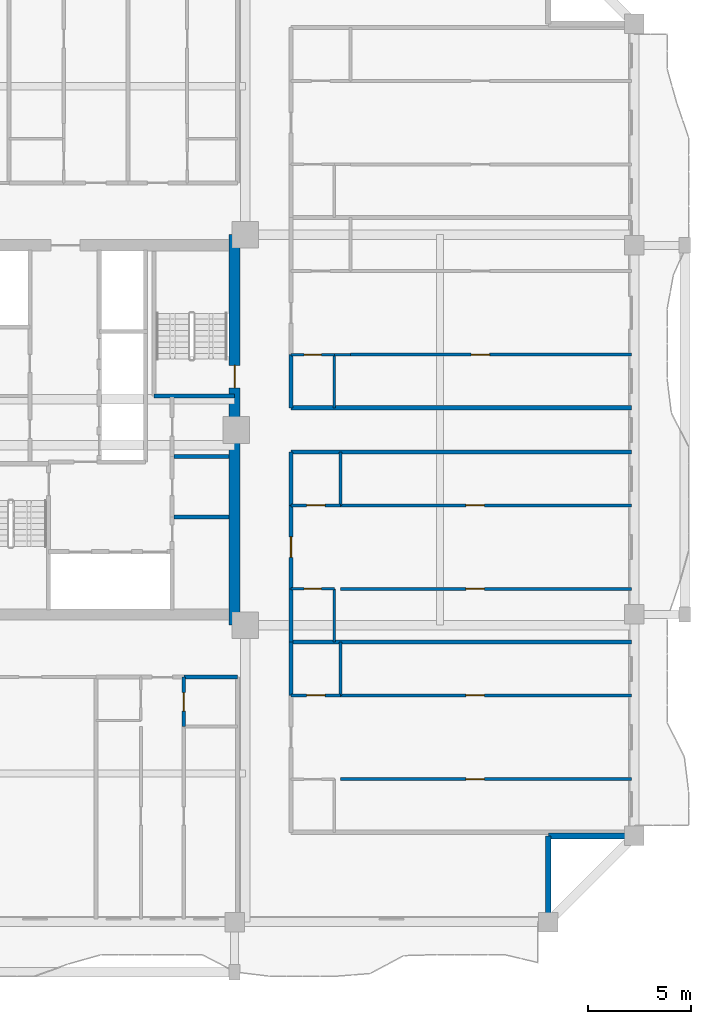
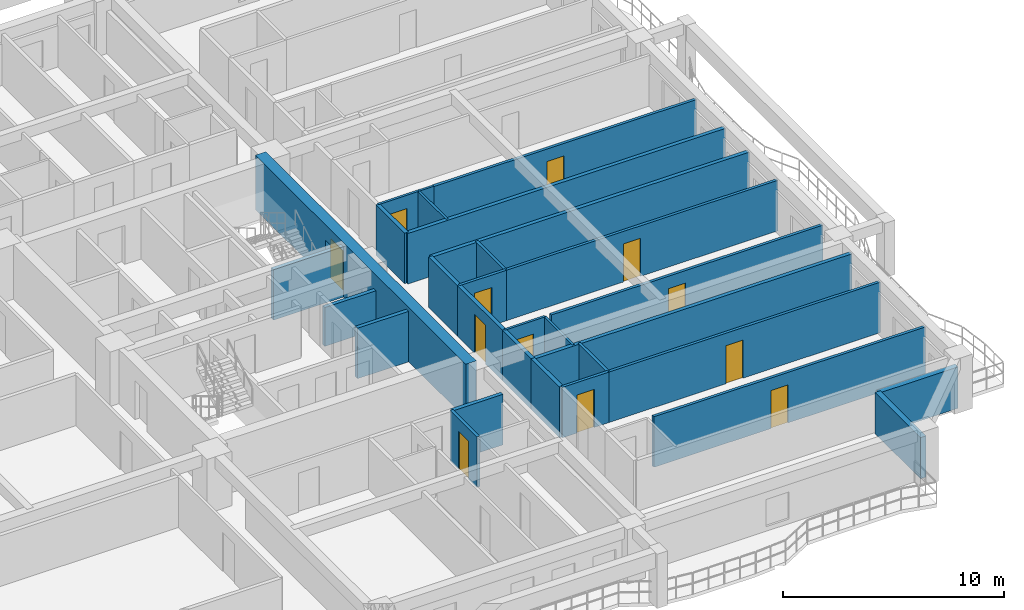
# One storey, part 4 of 12: 30 walls, 12 doors, 12 openings.
"""IFC4 building model written with IfcOpenShell, lengths in metres."""

from ifc_helpers import new_model, si_unit, direction, frame, frame_2d, origin, place, context, subcontext, project, spatial, rectangle, extrude, source, transform, mapped, material, layer, layer_set, type_object, element, fill, save


model = new_model("IFC4")

# Units and contexts
model_context = context("Model", 3, precision=1e-05, world=origin(), true_north=direction((0.0, 1.0)))
body_context = subcontext(model_context, "Body", "Model", "MODEL_VIEW")
ifc_project = project(units=[si_unit("LENGTHUNIT", "METRE"), si_unit("AREAUNIT", "SQUARE_METRE"), si_unit("VOLUMEUNIT", "CUBIC_METRE"), si_unit("PLANEANGLEUNIT", "RADIAN"), si_unit("MASSUNIT", "GRAM", prefix="KILO")], contexts=[model_context])

# Site, building, storey
site_placement = place(None, origin())
site = spatial("IfcSite", under=ifc_project, at=site_placement, CompositionType="ELEMENT")
building_placement = place(site_placement, origin())
building = spatial("IfcBuilding", under=site, at=building_placement, Name="Saelheon Loggia Tower", CompositionType="ELEMENT")
storey_placement = place(building_placement, frame((0.0, 0.0, 95.85009765625)))
storey = spatial("IfcBuildingStorey", under=building, at=storey_placement, Name="L30", CompositionType="ELEMENT", Elevation=95.85009765625)

# Wall, opening, door
ifc_material_1 = material(Name="Concrete C50/60", Category="concrete")
ifc_layer_1 = layer(ifc_material_1, 0.550048828125)
ifc_layer_set_1 = layer_set([ifc_layer_1], Name="Concrete C50/60")
wall_type_1 = type_object("IfcWallType", Name="Wall_CoreShear_550", PredefinedType="SHEAR", material=ifc_layer_set_1)
wall_1_placement = place(storey_placement, frame((44.5, 17.47998046875, 0.0), z_axis=(0.0, 0.0, 1.0), x_axis=(0.0, 1.0, 0.0)))
wall_1 = element("IfcWall", 1, at=wall_1_placement, inside=storey, type_object=wall_type_1, Name="L30 Core Shear Wall East", PredefinedType="SHEAR", context=body_context, shape_type="SweptSolid", body=[
    extrude(rectangle(XDim=19.0400390625, YDim=0.550048828125, at=frame_2d((9.52001953125, 0.0))), origin(), (0.0, 0.0, 1.0), 3.0),
])
opening_1_placement = place(wall_1_placement, frame((12.670166015625, 0.0, 0.0), z_axis=(0.0, 0.0, 1.0), x_axis=(-1.0, 0.0, 0.0)))
opening_1 = element("IfcOpeningElement", 2, at=opening_1_placement, cuts=wall_1, Name="Opening D-FD2", PredefinedType="OPENING", context=body_context, shape_type="SweptSolid", body=[
    extrude(rectangle(XDim=1.10009765625, YDim=2.14990234375, at=frame_2d((0.550048828125, 1.074951171875))), frame((0.0, 0.287109375, 0.0), z_axis=(0.0, -1.0, 0.0), x_axis=(1.0, 0.0, 0.0)), (0.0, 0.0, 1.0), 0.573974609375),
])
ifc_material_2 = material(Name="Galvanised Steel Fire Door", Category="steel")
door_type_1 = type_object("IfcDoorType", Name="Door_Fire_FD60_1100", OperationType="NOTDEFINED", PredefinedType="DOOR", material=ifc_material_2)
shared_shape_1 = source(origin(), body_context, "Body", "SweptSolid", [
    extrude(rectangle(XDim=1.10009765625, YDim=2.14990234375, at=frame_2d((0.550048828125, 1.074951171875))), frame((0.0, 0.02490234375, 0.0), z_axis=(0.0, -1.0, 0.0), x_axis=(1.0, 0.0, 0.0)), (0.0, 0.0, 1.0), 0.050048828125),
])
door_1_placement = place(opening_1_placement, origin())
door_1 = element("IfcDoor", 3, at=door_1_placement, inside=storey, type_object=door_type_1, Name="L30 Stair ST2 Corridor Door", OperationType="SINGLE_SWING_RIGHT", OverallHeight=2.14990234375, OverallWidth=1.10009765625, PredefinedType="DOOR", context=body_context, shape_type="MappedRepresentation", body=[
    mapped(shared_shape_1, transform((0.0, 0.0, 0.0), scale=1.0)),
])
fill(opening_1, door_1)

# Walls
ifc_material_3 = material(Name="Architectural Precast Concrete C40/50", Category="concrete")
ifc_layer_2 = layer(ifc_material_3, 0.280029296875)
ifc_layer_set_2 = layer_set([ifc_layer_2], Name="Architectural Precast Concrete C40/50")
wall_type_2 = type_object("IfcWallType", Name="Wall_Ext_Loggia_280", PredefinedType="SOLIDWALL", material=ifc_layer_set_2)
for number, where, z_axis, x_axis, name in (
    (4, (59.800048828125, 3.080078125, 0.0), (0.0, 0.0, 1.0), (0.0, 1.0, 0.0), "L30 Corner Notch Precast Wall SE1"),
    (5, (59.800048828125, 7.199951171875, 0.0), (0.0, 0.0, 1.0), (1.0, 0.0, 0.0), "L30 Corner Notch Precast Wall SE2"),
):
    element("IfcWall", number, at=place(storey_placement, frame(where, z_axis=z_axis, x_axis=x_axis)), inside=storey, type_object=wall_type_2, Name=name, PredefinedType="SOLIDWALL", context=body_context, shape_type="SweptSolid", body=[
        extrude(rectangle(XDim=4.119873046875, YDim=0.280029296875, at=frame_2d((2.06005859375, 0.0))), origin(), (0.0, 0.0, 1.0), 2.27978515625),
    ])

# Wall, opening, door
ifc_material_4 = material(Name="Lightweight Autoclaved Aerated Concrete Block and Acoustic Gypsum", Category="concrete")
ifc_layer_3 = layer(ifc_material_4, 0.14990234375)
ifc_layer_set_3 = layer_set([ifc_layer_3], Name="Lightweight Autoclaved Aerated Concrete Block and Acoustic Gypsum")
wall_type_3 = type_object("IfcWallType", Name="Wall_Part_150", PredefinedType="PARTITIONING", material=ifc_layer_set_3)
wall_2_placement = place(storey_placement, frame((42.02197265625, 14.949951171875, 0.0), z_axis=(0.0, 0.0, 1.0), x_axis=(0.0, -1.0, 0.0)))
wall_2 = element("IfcWall", 6, at=wall_2_placement, inside=storey, type_object=wall_type_3, Name="L30 S Partition U12", PredefinedType="PARTITIONING", context=body_context, shape_type="SweptSolid", body=[
    extrude(rectangle(XDim=2.419921875, YDim=0.14990234375, at=frame_2d((1.2099609375, 0.0))), origin(), (0.0, 0.0, 1.0), 2.789794921875),
])
opening_2_placement = place(wall_2_placement, frame((0.760009765625, 0.0, 0.0)))
opening_2 = element("IfcOpeningElement", 7, at=opening_2_placement, cuts=wall_2, Name="Opening D-IN2", PredefinedType="OPENING", context=body_context, shape_type="SweptSolid", body=[
    extrude(rectangle(XDim=0.89990234375, YDim=2.10009765625, at=frame_2d((0.449951171875, 1.050048828125))), frame((0.0, 0.0869140625, 0.0), z_axis=(0.0, -1.0, 0.0), x_axis=(1.0, 0.0, 0.0)), (0.0, 0.0, 1.0), 0.173828125),
])
ifc_material_5 = material(Name="Engineered Oak Flush Door", Category="timber")
door_type_2 = type_object("IfcDoorType", Name="Door_Int_900", OperationType="NOTDEFINED", PredefinedType="DOOR", material=ifc_material_5)
shared_shape_2 = source(origin(), body_context, "Body", "SweptSolid", [
    extrude(rectangle(XDim=0.89990234375, YDim=2.10009765625, at=frame_2d((0.449951171875, 1.050048828125))), frame((0.0, 0.02490234375, 0.0), z_axis=(0.0, -1.0, 0.0), x_axis=(1.0, 0.0, 0.0)), (0.0, 0.0, 1.0), 0.050048828125),
])
door_2_placement = place(opening_2_placement, origin())
door_2 = element("IfcDoor", 8, at=door_2_placement, inside=storey, type_object=door_type_2, Name="Unit U01 Dressing Closet Door", OperationType="SINGLE_SWING_LEFT", OverallHeight=2.10009765625, OverallWidth=0.89990234375, PredefinedType="DOOR", context=body_context, shape_type="MappedRepresentation", body=[
    mapped(shared_shape_2, transform((0.0, 0.0, 0.0), scale=1.0)),
])
fill(opening_2, door_2)

# Wall
wall_3_placement = place(storey_placement, frame((49.669921875, 14.050048828125, 0.0), z_axis=(0.0, 0.0, 1.0), x_axis=(0.0, 1.0, 0.0)))
element("IfcWall", 9, at=wall_3_placement, inside=storey, type_object=wall_type_3, Name="L30 ES Partition V07", PredefinedType="PARTITIONING", context=body_context, shape_type="SweptSolid", body=[
    extrude(rectangle(XDim=2.599853515625, YDim=0.14990234375, at=frame_2d((1.2998046875, 0.0))), origin(), (0.0, 0.0, 1.0), 2.789794921875),
])

# Wall, opening, door
wall_4_placement = place(storey_placement, frame((49.669921875, 9.9755859375, 0.0), z_axis=(0.0, 0.0, 1.0), x_axis=(1.0, 0.0, 0.0)))
wall_4 = element("IfcWall", 10, at=wall_4_placement, inside=storey, type_object=wall_type_3, Name="L30 ES Partition U09", PredefinedType="PARTITIONING", context=body_context, shape_type="SweptSolid", body=[
    extrude(rectangle(XDim=14.18017578125, YDim=0.14990234375, at=frame_2d((7.090087890625, 0.0))), origin(), (0.0, 0.0, 1.0), 2.789794921875),
])
opening_3_placement = place(wall_4_placement, frame((6.106689453125, 0.0, 0.0)))
opening_3 = element("IfcOpeningElement", 11, at=opening_3_placement, cuts=wall_4, Name="Opening D-IN2", PredefinedType="OPENING", context=body_context, shape_type="SweptSolid", body=[
    extrude(rectangle(XDim=0.89990234375, YDim=2.10009765625, at=frame_2d((0.449951171875, 1.050048828125))), frame((0.0, 0.0869140625, 0.0), z_axis=(0.0, -1.0, 0.0), x_axis=(1.0, 0.0, 0.0)), (0.0, 0.0, 1.0), 0.173828125),
])
door_3_placement = place(opening_3_placement, origin())
door_3 = element("IfcDoor", 12, at=door_3_placement, inside=storey, type_object=door_type_2, Name="Unit U04 Kitchen Door", OperationType="SINGLE_SWING_RIGHT", OverallHeight=2.10009765625, OverallWidth=0.89990234375, PredefinedType="DOOR", context=body_context, shape_type="MappedRepresentation", body=[
    mapped(shared_shape_2, transform((0.0, 0.0, 0.0), scale=1.0)),
])
fill(opening_3, door_3)

wall_5_placement = place(storey_placement, frame((47.25, 14.050048828125, 0.0), z_axis=(0.0, 0.0, 1.0), x_axis=(1.0, 0.0, 0.0)))
wall_5 = element("IfcWall", 13, at=wall_5_placement, inside=storey, type_object=wall_type_3, Name="L30 ES Partition U10", PredefinedType="PARTITIONING", context=body_context, shape_type="SweptSolid", body=[
    extrude(rectangle(XDim=2.419921875, YDim=0.14990234375, at=frame_2d((1.2099609375, 0.0))), origin(), (0.0, 0.0, 1.0), 2.789794921875),
])
opening_4_placement = place(wall_5_placement, frame((0.760009765625, 0.0, 0.0)))
opening_4 = element("IfcOpeningElement", 14, at=opening_4_placement, cuts=wall_5, Name="Opening D-IN2", PredefinedType="OPENING", context=body_context, shape_type="SweptSolid", body=[
    extrude(rectangle(XDim=0.89990234375, YDim=2.10009765625, at=frame_2d((0.449951171875, 1.050048828125))), frame((0.0, 0.0869140625, 0.0), z_axis=(0.0, -1.0, 0.0), x_axis=(1.0, 0.0, 0.0)), (0.0, 0.0, 1.0), 0.173828125),
])
door_4_placement = place(opening_4_placement, origin())
door_4 = element("IfcDoor", 15, at=door_4_placement, inside=storey, type_object=door_type_2, Name="Unit U04 Dressing Closet Door", OperationType="SINGLE_SWING_LEFT", OverallHeight=2.10009765625, OverallWidth=0.89990234375, PredefinedType="DOOR", context=body_context, shape_type="MappedRepresentation", body=[
    mapped(shared_shape_2, transform((0.0, 0.0, 0.0), scale=1.0)),
])
fill(opening_4, door_4)

wall_6_placement = place(storey_placement, frame((49.669921875, 14.050048828125, 0.0), z_axis=(0.0, 0.0, 1.0), x_axis=(1.0, 0.0, 0.0)))
wall_6 = element("IfcWall", 16, at=wall_6_placement, inside=storey, type_object=wall_type_3, Name="L30 ES Partition U11", PredefinedType="PARTITIONING", context=body_context, shape_type="SweptSolid", body=[
    extrude(rectangle(XDim=14.18017578125, YDim=0.14990234375, at=frame_2d((7.090087890625, 0.0))), origin(), (0.0, 0.0, 1.0), 2.789794921875),
])
opening_5_placement = place(wall_6_placement, frame((6.106689453125, 0.0, 0.0)))
opening_5 = element("IfcOpeningElement", 17, at=opening_5_placement, cuts=wall_6, Name="Opening D-IN2", PredefinedType="OPENING", context=body_context, shape_type="SweptSolid", body=[
    extrude(rectangle(XDim=0.89990234375, YDim=2.10009765625, at=frame_2d((0.449951171875, 1.050048828125))), frame((0.0, 0.0869140625, 0.0), z_axis=(0.0, -1.0, 0.0), x_axis=(1.0, 0.0, 0.0)), (0.0, 0.0, 1.0), 0.173828125),
])
door_5_placement = place(opening_5_placement, origin())
door_5 = element("IfcDoor", 18, at=door_5_placement, inside=storey, type_object=door_type_2, Name="Unit U04 Bedroom 1 Door", OperationType="SINGLE_SWING_RIGHT", OverallHeight=2.10009765625, OverallWidth=0.89990234375, PredefinedType="DOOR", context=body_context, shape_type="MappedRepresentation", body=[
    mapped(shared_shape_2, transform((0.0, 0.0, 0.0), scale=1.0)),
])
fill(opening_5, door_5)

# Wall
wall_7_placement = place(storey_placement, frame((49.669921875, 23.320068359375, 0.0), z_axis=(0.0, 0.0, 1.0), x_axis=(0.0, 1.0, 0.0)))
element("IfcWall", 19, at=wall_7_placement, inside=storey, type_object=wall_type_3, Name="L30 ES Partition V17", PredefinedType="PARTITIONING", context=body_context, shape_type="SweptSolid", body=[
    extrude(rectangle(XDim=2.599853515625, YDim=0.14990234375, at=frame_2d((1.2998046875, 0.0))), origin(), (0.0, 0.0, 1.0), 2.789794921875),
])

# Wall, opening, door
wall_8_placement = place(storey_placement, frame((49.669921875, 19.24560546875, 0.0), z_axis=(0.0, 0.0, 1.0), x_axis=(1.0, 0.0, 0.0)))
wall_8 = element("IfcWall", 20, at=wall_8_placement, inside=storey, type_object=wall_type_3, Name="L30 ES Partition U19", PredefinedType="PARTITIONING", context=body_context, shape_type="SweptSolid", body=[
    extrude(rectangle(XDim=14.18017578125, YDim=0.14990234375, at=frame_2d((7.090087890625, 0.0))), origin(), (0.0, 0.0, 1.0), 2.789794921875),
])
opening_6_placement = place(wall_8_placement, frame((6.106689453125, 0.0, 0.0)))
opening_6 = element("IfcOpeningElement", 21, at=opening_6_placement, cuts=wall_8, Name="Opening D-IN2", PredefinedType="OPENING", context=body_context, shape_type="SweptSolid", body=[
    extrude(rectangle(XDim=0.89990234375, YDim=2.10009765625, at=frame_2d((0.449951171875, 1.050048828125))), frame((0.0, 0.0869140625, 0.0), z_axis=(0.0, -1.0, 0.0), x_axis=(1.0, 0.0, 0.0)), (0.0, 0.0, 1.0), 0.173828125),
])
door_6_placement = place(opening_6_placement, origin())
door_6 = element("IfcDoor", 22, at=door_6_placement, inside=storey, type_object=door_type_2, Name="Unit U05 Kitchen Door", OperationType="SINGLE_SWING_LEFT", OverallHeight=2.10009765625, OverallWidth=0.89990234375, PredefinedType="DOOR", context=body_context, shape_type="MappedRepresentation", body=[
    mapped(shared_shape_2, transform((0.0, 0.0, 0.0), scale=1.0)),
])
fill(opening_6, door_6)

wall_9_placement = place(storey_placement, frame((47.25, 23.320068359375, 0.0), z_axis=(0.0, 0.0, 1.0), x_axis=(1.0, 0.0, 0.0)))
wall_9 = element("IfcWall", 23, at=wall_9_placement, inside=storey, type_object=wall_type_3, Name="L30 ES Partition U20", PredefinedType="PARTITIONING", context=body_context, shape_type="SweptSolid", body=[
    extrude(rectangle(XDim=2.419921875, YDim=0.14990234375, at=frame_2d((1.2099609375, 0.0))), origin(), (0.0, 0.0, 1.0), 2.789794921875),
])
opening_7_placement = place(wall_9_placement, frame((0.760009765625, 0.0, 0.0)))
opening_7 = element("IfcOpeningElement", 24, at=opening_7_placement, cuts=wall_9, Name="Opening D-IN2", PredefinedType="OPENING", context=body_context, shape_type="SweptSolid", body=[
    extrude(rectangle(XDim=0.89990234375, YDim=2.10009765625, at=frame_2d((0.449951171875, 1.050048828125))), frame((0.0, 0.0869140625, 0.0), z_axis=(0.0, -1.0, 0.0), x_axis=(1.0, 0.0, 0.0)), (0.0, 0.0, 1.0), 0.173828125),
])
door_7_placement = place(opening_7_placement, origin())
door_7 = element("IfcDoor", 25, at=door_7_placement, inside=storey, type_object=door_type_2, Name="Unit U05 Dressing Closet Door", OperationType="SINGLE_SWING_RIGHT", OverallHeight=2.10009765625, OverallWidth=0.89990234375, PredefinedType="DOOR", context=body_context, shape_type="MappedRepresentation", body=[
    mapped(shared_shape_2, transform((0.0, 0.0, 0.0), scale=1.0)),
])
fill(opening_7, door_7)

wall_10_placement = place(storey_placement, frame((49.669921875, 23.320068359375, 0.0), z_axis=(0.0, 0.0, 1.0), x_axis=(1.0, 0.0, 0.0)))
wall_10 = element("IfcWall", 26, at=wall_10_placement, inside=storey, type_object=wall_type_3, Name="L30 ES Partition U21", PredefinedType="PARTITIONING", context=body_context, shape_type="SweptSolid", body=[
    extrude(rectangle(XDim=14.18017578125, YDim=0.14990234375, at=frame_2d((7.090087890625, 0.0))), origin(), (0.0, 0.0, 1.0), 2.789794921875),
])
opening_8_placement = place(wall_10_placement, frame((6.106689453125, 0.0, 0.0)))
opening_8 = element("IfcOpeningElement", 27, at=opening_8_placement, cuts=wall_10, Name="Opening D-IN2", PredefinedType="OPENING", context=body_context, shape_type="SweptSolid", body=[
    extrude(rectangle(XDim=0.89990234375, YDim=2.10009765625, at=frame_2d((0.449951171875, 1.050048828125))), frame((0.0, 0.0869140625, 0.0), z_axis=(0.0, -1.0, 0.0), x_axis=(1.0, 0.0, 0.0)), (0.0, 0.0, 1.0), 0.173828125),
])
door_8_placement = place(opening_8_placement, origin())
door_8 = element("IfcDoor", 28, at=door_8_placement, inside=storey, type_object=door_type_2, Name="Unit U05 Bedroom 1 Door", OperationType="SINGLE_SWING_LEFT", OverallHeight=2.10009765625, OverallWidth=0.89990234375, PredefinedType="DOOR", context=body_context, shape_type="MappedRepresentation", body=[
    mapped(shared_shape_2, transform((0.0, 0.0, 0.0), scale=1.0)),
])
fill(opening_8, door_8)

wall_11_placement = place(storey_placement, frame((50.14990234375, 30.675537109375, 0.0), z_axis=(0.0, 0.0, 1.0), x_axis=(1.0, 0.0, 0.0)))
wall_11 = element("IfcWall", 29, at=wall_11_placement, inside=storey, type_object=wall_type_3, Name="L30 EN Partition U10", PredefinedType="PARTITIONING", context=body_context, shape_type="SweptSolid", body=[
    extrude(rectangle(XDim=13.7001953125, YDim=0.14990234375, at=frame_2d((6.85009765625, 0.0))), origin(), (0.0, 0.0, 1.0), 2.789794921875),
])
opening_9_placement = place(wall_11_placement, frame((5.88671875, 0.0, 0.0)))
opening_9 = element("IfcOpeningElement", 30, at=opening_9_placement, cuts=wall_11, Name="Opening D-IN2", PredefinedType="OPENING", context=body_context, shape_type="SweptSolid", body=[
    extrude(rectangle(XDim=0.89990234375, YDim=2.10009765625, at=frame_2d((0.449951171875, 1.050048828125))), frame((0.0, 0.0869140625, 0.0), z_axis=(0.0, -1.0, 0.0), x_axis=(1.0, 0.0, 0.0)), (0.0, 0.0, 1.0), 0.173828125),
])
door_9_placement = place(opening_9_placement, origin())
door_9 = element("IfcDoor", 31, at=door_9_placement, inside=storey, type_object=door_type_2, Name="Unit U06 Kitchen Door", OperationType="SINGLE_SWING_RIGHT", OverallHeight=2.10009765625, OverallWidth=0.89990234375, PredefinedType="DOOR", context=body_context, shape_type="MappedRepresentation", body=[
    mapped(shared_shape_2, transform((0.0, 0.0, 0.0), scale=1.0)),
])
fill(opening_9, door_9)

# Walls
ifc_material_6 = material(Name="Double Acoustic Stud and Fireboard Partition", Category="gypsum")
ifc_layer_4 = layer(ifc_material_6, 0.199951171875)
ifc_layer_set_4 = layer_set([ifc_layer_4], Name="Double Acoustic Stud and Fireboard Partition")
wall_type_4 = type_object("IfcWallType", Name="Wall_Party_200", PredefinedType="PARTITIONING", material=ifc_layer_set_4)
wall_12_placement = place(storey_placement, frame((42.02197265625, 14.949951171875, 0.0), z_axis=(0.0, 0.0, 1.0), x_axis=(1.0, 0.0, 0.0)))
element("IfcWall", 32, at=wall_12_placement, inside=storey, type_object=wall_type_4, Name="L30 S Partition V07", PredefinedType="PARTITIONING", context=body_context, shape_type="SweptSolid", body=[
    extrude(rectangle(XDim=2.6279296875, YDim=0.199951171875, at=frame_2d((1.31396484375, 0.0))), origin(), (0.0, 0.0, 1.0), 2.789794921875),
])
wall_13_placement = place(storey_placement, frame((47.25, 25.919921875, 0.0), z_axis=(0.0, 0.0, 1.0), x_axis=(1.0, 0.0, 0.0)))
element("IfcWall", 33, at=wall_13_placement, inside=storey, type_object=wall_type_4, Name="L30 ES Partition U02", PredefinedType="PARTITIONING", context=body_context, shape_type="SweptSolid", body=[
    extrude(rectangle(XDim=16.60009765625, YDim=0.199951171875, at=frame_2d((8.300048828125, 0.0))), origin(), (0.0, 0.0, 1.0), 2.789794921875),
])
wall_14_placement = place(storey_placement, frame((47.25, 14.050048828125, 0.0), z_axis=(0.0, 0.0, 1.0), x_axis=(0.0, 1.0, 0.0)))
element("IfcWall", 34, at=wall_14_placement, inside=storey, type_object=wall_type_4, Name="L30 ES Partition V05", PredefinedType="PARTITIONING", context=body_context, shape_type="SweptSolid", body=[
    extrude(rectangle(XDim=2.599853515625, YDim=0.199951171875, at=frame_2d((1.2998046875, 0.0))), origin(), (0.0, 0.0, 1.0), 2.789794921875),
])
wall_15_placement = place(storey_placement, frame((47.25, 16.64990234375, 0.0), z_axis=(0.0, 0.0, 1.0), x_axis=(1.0, 0.0, 0.0)))
element("IfcWall", 35, at=wall_15_placement, inside=storey, type_object=wall_type_4, Name="L30 ES Partition U12", PredefinedType="PARTITIONING", context=body_context, shape_type="SweptSolid", body=[
    extrude(rectangle(XDim=16.60009765625, YDim=0.199951171875, at=frame_2d((8.300048828125, 0.0))), origin(), (0.0, 0.0, 1.0), 2.789794921875),
])
wall_16_placement = place(storey_placement, frame((47.25, 16.64990234375, 0.0), z_axis=(0.0, 0.0, 1.0), x_axis=(0.0, 1.0, 0.0)))
element("IfcWall", 36, at=wall_16_placement, inside=storey, type_object=wall_type_4, Name="L30 ES Partition V13", PredefinedType="PARTITIONING", context=body_context, shape_type="SweptSolid", body=[
    extrude(rectangle(XDim=2.595703125, YDim=0.199951171875, at=frame_2d((1.2978515625, 0.0))), origin(), (0.0, 0.0, 1.0), 2.789794921875),
])

# Wall, opening, door
wall_17_placement = place(storey_placement, frame((47.25, 19.24560546875, 0.0), z_axis=(0.0, 0.0, 1.0), x_axis=(0.0, 1.0, 0.0)))
wall_17 = element("IfcWall", 37, at=wall_17_placement, inside=storey, type_object=wall_type_4, Name="L30 ES Partition V14", PredefinedType="PARTITIONING", context=body_context, shape_type="SweptSolid", body=[
    extrude(rectangle(XDim=4.074462890625, YDim=0.199951171875, at=frame_2d((2.037109375, 0.0))), origin(), (0.0, 0.0, 1.0), 2.789794921875),
])
opening_10_placement = place(wall_17_placement, frame((1.537109375, 0.0, 0.0)))
opening_10 = element("IfcOpeningElement", 38, at=opening_10_placement, cuts=wall_17, Name="Opening D-FD1", PredefinedType="OPENING", context=body_context, shape_type="SweptSolid", body=[
    extrude(rectangle(XDim=1.0, YDim=2.14990234375, at=frame_2d((0.5, 1.074951171875))), frame((0.0, 0.112060546875, 0.0), z_axis=(0.0, -1.0, 0.0), x_axis=(1.0, 0.0, 0.0)), (0.0, 0.0, 1.0), 0.223876953125),
])
ifc_material_7 = material(Name="Fire-Rated Engineered Timber Entrance Door", Category="wood")
door_type_3 = type_object("IfcDoorType", Name="Door_Flat_FD30S", OperationType="NOTDEFINED", PredefinedType="DOOR", material=ifc_material_7)
shared_shape_3 = source(origin(), body_context, "Body", "SweptSolid", [
    extrude(rectangle(XDim=1.0, YDim=2.14990234375, at=frame_2d((0.5, 1.074951171875))), frame((0.0, 0.02490234375, 0.0), z_axis=(0.0, -1.0, 0.0), x_axis=(1.0, 0.0, 0.0)), (0.0, 0.0, 1.0), 0.050048828125),
])
door_10_placement = place(opening_10_placement, origin())
door_10 = element("IfcDoor", 39, at=door_10_placement, inside=storey, type_object=door_type_3, Name="Unit U05 Entrance Door", OperationType="SINGLE_SWING_LEFT", OverallHeight=2.14990234375, OverallWidth=1.0, PredefinedType="DOOR", context=body_context, shape_type="MappedRepresentation", body=[
    mapped(shared_shape_3, transform((0.0, 0.0, 0.0), scale=1.0)),
])
fill(opening_10, door_10)

# Walls
wall_18_placement = place(storey_placement, frame((47.25, 23.320068359375, 0.0), z_axis=(0.0, 0.0, 1.0), x_axis=(0.0, 1.0, 0.0)))
element("IfcWall", 40, at=wall_18_placement, inside=storey, type_object=wall_type_4, Name="L30 ES Partition V15", PredefinedType="PARTITIONING", context=body_context, shape_type="SweptSolid", body=[
    extrude(rectangle(XDim=2.599853515625, YDim=0.199951171875, at=frame_2d((1.2998046875, 0.0))), origin(), (0.0, 0.0, 1.0), 2.789794921875),
])
wall_19_placement = place(storey_placement, frame((47.25, 28.080078125, 0.0), z_axis=(0.0, 0.0, 1.0), x_axis=(1.0, 0.0, 0.0)))
element("IfcWall", 41, at=wall_19_placement, inside=storey, type_object=wall_type_4, Name="L30 EN Partition U01", PredefinedType="PARTITIONING", context=body_context, shape_type="SweptSolid", body=[
    extrude(rectangle(XDim=16.60009765625, YDim=0.199951171875, at=frame_2d((8.300048828125, 0.0))), origin(), (0.0, 0.0, 1.0), 2.789794921875),
])
wall_20_placement = place(storey_placement, frame((47.25, 28.080078125, 0.0), z_axis=(0.0, 0.0, 1.0), x_axis=(0.0, 1.0, 0.0)))
element("IfcWall", 42, at=wall_20_placement, inside=storey, type_object=wall_type_4, Name="L30 EN Partition V03", PredefinedType="PARTITIONING", context=body_context, shape_type="SweptSolid", body=[
    extrude(rectangle(XDim=2.595458984375, YDim=0.199951171875, at=frame_2d((1.2978515625, 0.0))), origin(), (0.0, 0.0, 1.0), 2.789794921875),
])
ifc_material_8 = material(Name="Concrete C40/50", Category="concrete")
ifc_layer_5 = layer(ifc_material_8, 0.199951171875)
ifc_layer_set_5 = layer_set([ifc_layer_5], Name="Concrete C40/50")
wall_type_5 = type_object("IfcWallType", Name="Wall_Shaft_200", PredefinedType="PARTITIONING", material=ifc_layer_set_5)
wall_21_placement = place(storey_placement, frame((41.550048828125, 22.75, 0.0), z_axis=(0.0, 0.0, 1.0), x_axis=(1.0, 0.0, 0.0)))
element("IfcWall", 43, at=wall_21_placement, inside=storey, type_object=wall_type_5, Name="CW-BOH-L30-H1", PredefinedType="PARTITIONING", context=body_context, shape_type="SweptSolid", body=[
    extrude(rectangle(XDim=2.669921875, YDim=0.199951171875, at=frame_2d((1.3349609375, 0.0))), origin(), (0.0, 0.0, 1.0), 2.789794921875),
])
wall_22_placement = place(storey_placement, frame((41.550048828125, 25.699951171875, 0.0), z_axis=(0.0, 0.0, 1.0), x_axis=(1.0, 0.0, 0.0)))
element("IfcWall", 44, at=wall_22_placement, inside=storey, type_object=wall_type_5, Name="CW-BOH-L30-H2", PredefinedType="PARTITIONING", context=body_context, shape_type="SweptSolid", body=[
    extrude(rectangle(XDim=2.669921875, YDim=0.199951171875, at=frame_2d((1.3349609375, 0.0))), origin(), (0.0, 0.0, 1.0), 2.139892578125),
])
ifc_material_9 = material(Name="Concrete C45/55", Category="concrete")
ifc_layer_6 = layer(ifc_material_9, 0.199951171875)
ifc_layer_set_6 = layer_set([ifc_layer_6], Name="Concrete C45/55")
wall_type_6 = type_object("IfcWallType", Name="Wall_StairShaft_RC200", PredefinedType="SOLIDWALL", material=ifc_layer_set_6)
wall_23_placement = place(storey_placement, frame((40.570068359375, 28.64990234375, 0.0), z_axis=(0.0, 0.0, 1.0), x_axis=(1.0, 0.0, 0.0)))
element("IfcWall", 45, at=wall_23_placement, inside=storey, type_object=wall_type_6, Name="L30 Stair ST2 South Wall", PredefinedType="SOLIDWALL", context=body_context, shape_type="SweptSolid", body=[
    extrude(rectangle(XDim=3.929931640625, YDim=0.199951171875, at=frame_2d((1.96484375, 0.0))), origin(), (0.0, 0.0, 1.0), 2.789794921875),
])
ifc_material_10 = material(Name="Moisture-Resistant Cement Board Partition", Category="gypsum")
ifc_layer_7 = layer(ifc_material_10, 0.1201171875)
ifc_layer_set_7 = layer_set([ifc_layer_7], Name="Moisture-Resistant Cement Board Partition")
wall_type_7 = type_object("IfcWallType", Name="Wall_WetPart_120", PredefinedType="PARTITIONING", material=ifc_layer_set_7)
wall_24_placement = place(storey_placement, frame((49.3701171875, 16.64990234375, 0.0), z_axis=(0.0, 0.0, 1.0), x_axis=(0.0, 1.0, 0.0)))
element("IfcWall", 46, at=wall_24_placement, inside=storey, type_object=wall_type_7, Name="L30 ES Partition V16", PredefinedType="PARTITIONING", context=body_context, shape_type="SweptSolid", body=[
    extrude(rectangle(XDim=2.595703125, YDim=0.1201171875, at=frame_2d((1.2978515625, 0.0))), origin(), (0.0, 0.0, 1.0), 2.789794921875),
])

# Wall, opening, door
wall_25_placement = place(storey_placement, frame((47.25, 19.24560546875, 0.0), z_axis=(0.0, 0.0, 1.0), x_axis=(1.0, 0.0, 0.0)))
wall_25 = element("IfcWall", 47, at=wall_25_placement, inside=storey, type_object=wall_type_7, Name="L30 ES Partition U18", PredefinedType="PARTITIONING", context=body_context, shape_type="SweptSolid", body=[
    extrude(rectangle(XDim=2.1201171875, YDim=0.1201171875, at=frame_2d((1.06005859375, 0.0))), origin(), (0.0, 0.0, 1.0), 2.789794921875),
])
opening_11_placement = place(wall_25_placement, frame((0.635009765625, 0.0, 0.0)))
opening_11 = element("IfcOpeningElement", 48, at=opening_11_placement, cuts=wall_25, Name="Opening D-BT1", PredefinedType="OPENING", context=body_context, shape_type="SweptSolid", body=[
    extrude(rectangle(XDim=0.85009765625, YDim=2.050048828125, at=frame_2d((0.425048828125, 1.02490234375))), frame((0.0, 0.072021484375, 0.0), z_axis=(0.0, -1.0, 0.0), x_axis=(1.0, 0.0, 0.0)), (0.0, 0.0, 1.0), 0.14404296875),
])
ifc_material_11 = material(Name="Moisture-Resistant Laminate Timber Door", Category="wood")
door_type_4 = type_object("IfcDoorType", Name="Door_Bath_850", OperationType="NOTDEFINED", PredefinedType="DOOR", material=ifc_material_11)
shared_shape_4 = source(origin(), body_context, "Body", "SweptSolid", [
    extrude(rectangle(XDim=0.85009765625, YDim=2.050048828125, at=frame_2d((0.425048828125, 1.02490234375))), frame((0.0, 0.02490234375, 0.0), z_axis=(0.0, -1.0, 0.0), x_axis=(1.0, 0.0, 0.0)), (0.0, 0.0, 1.0), 0.050048828125),
])
door_11_placement = place(opening_11_placement, origin())
door_11 = element("IfcDoor", 49, at=door_11_placement, inside=storey, type_object=door_type_4, Name="Unit U05 Bathroom Door", OperationType="SINGLE_SWING_RIGHT", OverallHeight=2.050048828125, OverallWidth=0.85009765625, PredefinedType="DOOR", context=body_context, shape_type="MappedRepresentation", body=[
    mapped(shared_shape_4, transform((0.0, 0.0, 0.0), scale=1.0)),
])
fill(opening_11, door_11)

# Wall
wall_26_placement = place(storey_placement, frame((49.3701171875, 28.080078125, 0.0), z_axis=(0.0, 0.0, 1.0), x_axis=(0.0, 1.0, 0.0)))
element("IfcWall", 50, at=wall_26_placement, inside=storey, type_object=wall_type_7, Name="L30 EN Partition V06", PredefinedType="PARTITIONING", context=body_context, shape_type="SweptSolid", body=[
    extrude(rectangle(XDim=2.595458984375, YDim=0.1201171875, at=frame_2d((1.2978515625, 0.0))), origin(), (0.0, 0.0, 1.0), 2.789794921875),
])

# Wall, opening, door
wall_27_placement = place(storey_placement, frame((47.25, 30.675537109375, 0.0), z_axis=(0.0, 0.0, 1.0), x_axis=(1.0, 0.0, 0.0)))
wall_27 = element("IfcWall", 51, at=wall_27_placement, inside=storey, type_object=wall_type_7, Name="L30 EN Partition U08", PredefinedType="PARTITIONING", context=body_context, shape_type="SweptSolid", body=[
    extrude(rectangle(XDim=2.1201171875, YDim=0.1201171875, at=frame_2d((1.06005859375, 0.0))), origin(), (0.0, 0.0, 1.0), 2.789794921875),
])
opening_12_placement = place(wall_27_placement, frame((0.635009765625, 0.0, 0.0)))
opening_12 = element("IfcOpeningElement", 52, at=opening_12_placement, cuts=wall_27, Name="Opening D-BT1", PredefinedType="OPENING", context=body_context, shape_type="SweptSolid", body=[
    extrude(rectangle(XDim=0.85009765625, YDim=2.050048828125, at=frame_2d((0.425048828125, 1.02490234375))), frame((0.0, 0.072021484375, 0.0), z_axis=(0.0, -1.0, 0.0), x_axis=(1.0, 0.0, 0.0)), (0.0, 0.0, 1.0), 0.14404296875),
])
door_12_placement = place(opening_12_placement, origin())
door_12 = element("IfcDoor", 53, at=door_12_placement, inside=storey, type_object=door_type_4, Name="Unit U06 Bathroom Door", OperationType="SINGLE_SWING_LEFT", OverallHeight=2.050048828125, OverallWidth=0.85009765625, PredefinedType="DOOR", context=body_context, shape_type="MappedRepresentation", body=[
    mapped(shared_shape_4, transform((0.0, 0.0, 0.0), scale=1.0)),
])
fill(opening_12, door_12)

# Wall
wall_28_placement = place(storey_placement, frame((49.3701171875, 30.675537109375, 0.0), z_axis=(0.0, 0.0, 1.0), x_axis=(1.0, 0.0, 0.0)))
element("IfcWall", 54, at=wall_28_placement, inside=storey, type_object=wall_type_7, Name="L30 EN Partition U09", PredefinedType="PARTITIONING", context=body_context, shape_type="SweptSolid", body=[
    extrude(rectangle(XDim=0.77978515625, YDim=0.1201171875, at=frame_2d((0.389892578125, 0.0))), origin(), (0.0, 0.0, 1.0), 2.789794921875),
])

save(model, "model.ifc")
